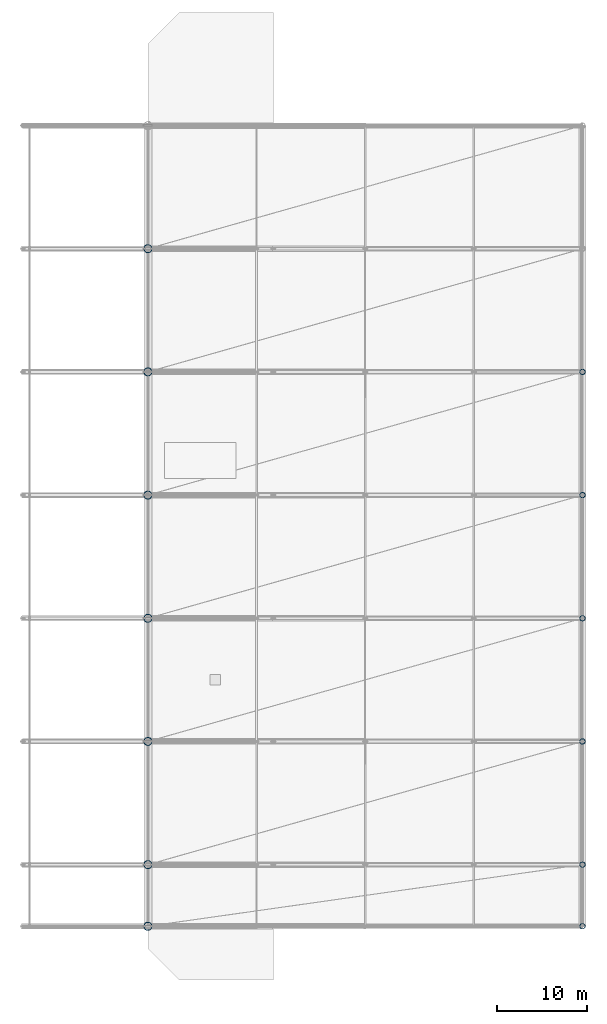
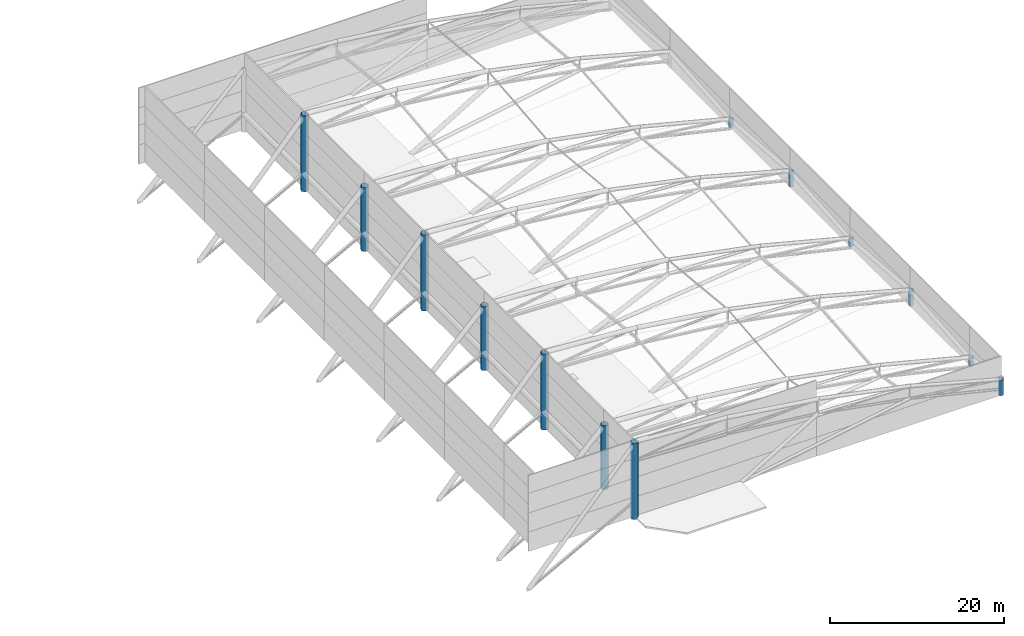
# One storey, part 1 of 36: 13 columns.
"""IFC4 building model written with IfcOpenShell, lengths in metres."""

from ifc_helpers import new_model, si_unit, direction, frame, origin, origin_2d, place, context, subcontext, project, spatial, hollow_circle, extrude, material, material_profile, profile_set, type_object, element, save


model = new_model("IFC4")

# Units and contexts
model_context = context("Model", 3, precision=1e-05, world=origin(), true_north=direction((0.0, 1.0)))
body_context = subcontext(model_context, "Body", "Model", "MODEL_VIEW")
ifc_project = project(units=[si_unit("LENGTHUNIT", "METRE"), si_unit("AREAUNIT", "SQUARE_METRE"), si_unit("VOLUMEUNIT", "CUBIC_METRE"), si_unit("PLANEANGLEUNIT", "RADIAN"), si_unit("MASSUNIT", "GRAM", prefix="KILO")], contexts=[model_context])

# Site, building, storey
site_placement = place(None, origin())
site = spatial("IfcSite", under=ifc_project, at=site_placement, CompositionType="ELEMENT")
building_placement = place(site_placement, origin())
building = spatial("IfcBuilding", under=site, at=building_placement, Name="Linyun Crest Stadium", CompositionType="ELEMENT")
storey_placement = place(building_placement, frame((0.0, 0.0, 31.60009765625)))
storey = spatial("IfcBuildingStorey", under=building, at=storey_placement, Name="RF", CompositionType="ELEMENT", Elevation=31.60009765625)

# Columns
ifc_material_1 = material(Name="Steel Q420C", Category="steel")
ifc_material_profile_1 = material_profile(ifc_material_1, hollow_circle(Radius=0.304931640625, WallThickness=0.030029296875, at=origin_2d()), Name="CHS 610x30")
ifc_profile_set_1 = profile_set([ifc_material_profile_1], Name="Steel Q420C")
column_type_1 = type_object("IfcColumnType", Name="MST01", PredefinedType="USERDEFINED", material=ifc_profile_set_1)
column_1_placement = place(storey_placement, frame((-35.5, -46.0, 0.0), z_axis=(0.0, 0.0, 1.0), x_axis=(1.0, 0.0, 0.0)))
element("IfcColumn", 1, at=column_1_placement, inside=storey, type_object=column_type_1, Name="Roof mast colonnade pier MST01 RF 2", ObjectType="ROOF MAST", PredefinedType="USERDEFINED", context=body_context, shape_type="SweptSolid", body=[
    extrude(hollow_circle(Radius=0.304931640625, WallThickness=0.030029296875, at=origin_2d()), origin(), (0.0, 0.0, 1.0), 2.15283203125),
])
column_2_placement = place(storey_placement, frame((-35.5, -39.125, 0.0), z_axis=(0.0, 0.0, 1.0), x_axis=(1.0, 0.0, 0.0)))
element("IfcColumn", 2, at=column_2_placement, inside=storey, type_object=column_type_1, Name="Roof mast colonnade pier MST01 RF 4", ObjectType="ROOF MAST", PredefinedType="USERDEFINED", context=body_context, shape_type="SweptSolid", body=[
    extrude(hollow_circle(Radius=0.304931640625, WallThickness=0.030029296875, at=origin_2d()), origin(), (0.0, 0.0, 1.0), 1.0478515625),
])
column_3_placement = place(storey_placement, frame((-35.5, -25.375, 0.0), z_axis=(0.0, 0.0, 1.0), x_axis=(1.0, 0.0, 0.0)))
element("IfcColumn", 3, at=column_3_placement, inside=storey, type_object=column_type_1, Name="Roof mast colonnade pier MST01 RF 6", ObjectType="ROOF MAST", PredefinedType="USERDEFINED", context=body_context, shape_type="SweptSolid", body=[
    extrude(hollow_circle(Radius=0.304931640625, WallThickness=0.030029296875, at=origin_2d()), origin(), (0.0, 0.0, 1.0), 2.15283203125),
])
column_4_placement = place(storey_placement, frame((-35.5, -11.625, 0.0), z_axis=(0.0, 0.0, 1.0), x_axis=(1.0, 0.0, 0.0)))
element("IfcColumn", 4, at=column_4_placement, inside=storey, type_object=column_type_1, Name="Roof mast colonnade pier MST01 RF 8", ObjectType="ROOF MAST", PredefinedType="USERDEFINED", context=body_context, shape_type="SweptSolid", body=[
    extrude(hollow_circle(Radius=0.304931640625, WallThickness=0.030029296875, at=origin_2d()), origin(), (0.0, 0.0, 1.0), 1.0478515625),
])
column_5_placement = place(storey_placement, frame((-35.5, 2.125, 0.0), z_axis=(0.0, 0.0, 1.0), x_axis=(1.0, 0.0, 0.0)))
element("IfcColumn", 5, at=column_5_placement, inside=storey, type_object=column_type_1, Name="Roof mast colonnade pier MST01 RF 10", ObjectType="ROOF MAST", PredefinedType="USERDEFINED", context=body_context, shape_type="SweptSolid", body=[
    extrude(hollow_circle(Radius=0.304931640625, WallThickness=0.030029296875, at=origin_2d()), origin(), (0.0, 0.0, 1.0), 2.15283203125),
])
column_6_placement = place(storey_placement, frame((-35.5, 15.875, 0.0), z_axis=(0.0, 0.0, 1.0), x_axis=(1.0, 0.0, 0.0)))
element("IfcColumn", 6, at=column_6_placement, inside=storey, type_object=column_type_1, Name="Roof mast colonnade pier MST01 RF 12", ObjectType="ROOF MAST", PredefinedType="USERDEFINED", context=body_context, shape_type="SweptSolid", body=[
    extrude(hollow_circle(Radius=0.304931640625, WallThickness=0.030029296875, at=origin_2d()), origin(), (0.0, 0.0, 1.0), 1.0478515625),
])
ifc_material_2 = material(Name="Steel Q420C", Category="steel")
ifc_material_profile_2 = material_profile(ifc_material_2, hollow_circle(Radius=0.45703125, WallThickness=0.0380859375, at=origin_2d()), Name="CHS 914x38")
ifc_profile_set_2 = profile_set([ifc_material_profile_2], Name="Steel Q420C")
column_type_2 = type_object("IfcColumnType", Name="MST03", PredefinedType="USERDEFINED", material=ifc_profile_set_2)
column_7_placement = place(storey_placement, frame((-84.0, -46.0, -0.235107421875), z_axis=(0.0, 0.0, 1.0), x_axis=(1.0, 0.0, 0.0)))
element("IfcColumn", 7, at=column_7_placement, inside=storey, type_object=column_type_2, Name="Roof mast MST03 V1 1", ObjectType="ROOF MAST", PredefinedType="USERDEFINED", context=body_context, shape_type="SweptSolid", body=[
    extrude(hollow_circle(Radius=0.45703125, WallThickness=0.0380859375, at=origin_2d()), origin(), (0.0, 0.0, 1.0), 10.635009765625),
])
column_8_placement = place(storey_placement, frame((-84.0, -39.125, -0.235107421875), z_axis=(0.0, 0.0, 1.0), x_axis=(1.0, 0.0, 0.0)))
element("IfcColumn", 8, at=column_8_placement, inside=storey, type_object=column_type_2, Name="Roof mast MST03 V1 3", ObjectType="ROOF MAST", PredefinedType="USERDEFINED", context=body_context, shape_type="SweptSolid", body=[
    extrude(hollow_circle(Radius=0.45703125, WallThickness=0.0380859375, at=origin_2d()), origin(), (0.0, 0.0, 1.0), 8.93505859375),
])
column_9_placement = place(storey_placement, frame((-84.0, -25.375, -0.235107421875), z_axis=(0.0, 0.0, 1.0), x_axis=(1.0, 0.0, 0.0)))
element("IfcColumn", 9, at=column_9_placement, inside=storey, type_object=column_type_2, Name="Roof mast MST03 V1 5", ObjectType="ROOF MAST", PredefinedType="USERDEFINED", context=body_context, shape_type="SweptSolid", body=[
    extrude(hollow_circle(Radius=0.45703125, WallThickness=0.0380859375, at=origin_2d()), origin(), (0.0, 0.0, 1.0), 10.635009765625),
])
column_10_placement = place(storey_placement, frame((-84.0, -11.625, -0.235107421875), z_axis=(0.0, 0.0, 1.0), x_axis=(1.0, 0.0, 0.0)))
element("IfcColumn", 10, at=column_10_placement, inside=storey, type_object=column_type_2, Name="Roof mast MST03 V1 7", ObjectType="ROOF MAST", PredefinedType="USERDEFINED", context=body_context, shape_type="SweptSolid", body=[
    extrude(hollow_circle(Radius=0.45703125, WallThickness=0.0380859375, at=origin_2d()), origin(), (0.0, 0.0, 1.0), 8.93505859375),
])
column_11_placement = place(storey_placement, frame((-84.0, 2.125, -0.235107421875), z_axis=(0.0, 0.0, 1.0), x_axis=(1.0, 0.0, 0.0)))
element("IfcColumn", 11, at=column_11_placement, inside=storey, type_object=column_type_2, Name="Roof mast MST03 V1 9", ObjectType="ROOF MAST", PredefinedType="USERDEFINED", context=body_context, shape_type="SweptSolid", body=[
    extrude(hollow_circle(Radius=0.45703125, WallThickness=0.0380859375, at=origin_2d()), origin(), (0.0, 0.0, 1.0), 10.635009765625),
])
column_12_placement = place(storey_placement, frame((-84.0, 15.875, -0.235107421875), z_axis=(0.0, 0.0, 1.0), x_axis=(1.0, 0.0, 0.0)))
element("IfcColumn", 12, at=column_12_placement, inside=storey, type_object=column_type_2, Name="Roof mast MST03 V1 11", ObjectType="ROOF MAST", PredefinedType="USERDEFINED", context=body_context, shape_type="SweptSolid", body=[
    extrude(hollow_circle(Radius=0.45703125, WallThickness=0.0380859375, at=origin_2d()), origin(), (0.0, 0.0, 1.0), 8.93505859375),
])
column_13_placement = place(storey_placement, frame((-84.0, 29.625, -0.235107421875), z_axis=(0.0, 0.0, 1.0), x_axis=(1.0, 0.0, 0.0)))
element("IfcColumn", 13, at=column_13_placement, inside=storey, type_object=column_type_2, Name="Roof mast MST03 V1 13", ObjectType="ROOF MAST", PredefinedType="USERDEFINED", context=body_context, shape_type="SweptSolid", body=[
    extrude(hollow_circle(Radius=0.45703125, WallThickness=0.0380859375, at=origin_2d()), origin(), (0.0, 0.0, 1.0), 10.635009765625),
])

save(model, "model.ifc")
